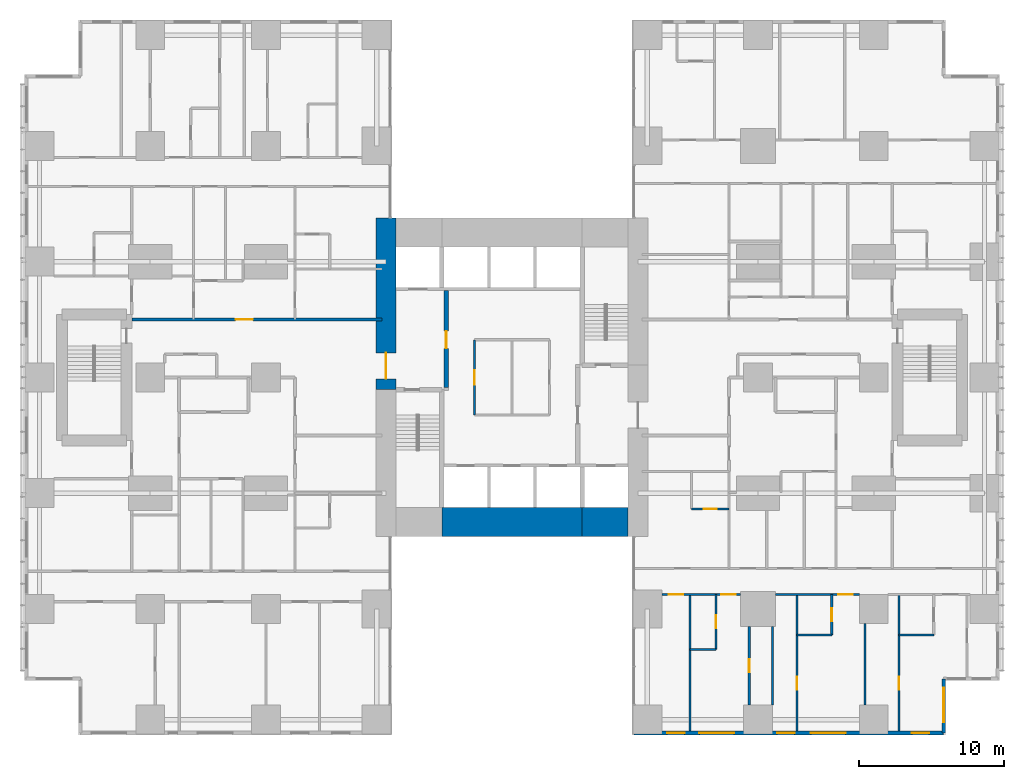
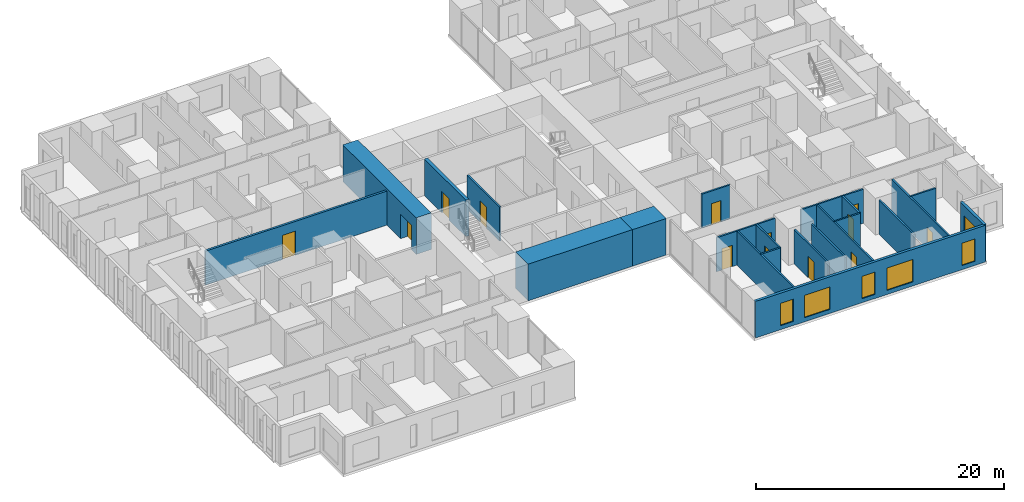
# One storey, part 14 of 21: 22 walls, 13 doors, 6 windows, 19 openings.
"""IFC4 building model written with IfcOpenShell, lengths in metres."""

from ifc_helpers import new_model, si_unit, direction, frame, frame_2d, origin, place, context, subcontext, project, spatial, rectangle, extrude, material, layer, layer_set, type_object, element, fill, save


model = new_model("IFC4")

# Units and contexts
model_context = context("Model", 3, precision=1e-05, world=origin(), true_north=direction((0.0, 1.0)))
body_context = subcontext(model_context, "Body", "Model", "MODEL_VIEW")
ifc_project = project(units=[si_unit("LENGTHUNIT", "METRE"), si_unit("AREAUNIT", "SQUARE_METRE"), si_unit("VOLUMEUNIT", "CUBIC_METRE"), si_unit("PLANEANGLEUNIT", "RADIAN"), si_unit("MASSUNIT", "GRAM", prefix="KILO")], contexts=[model_context])

# Site, building, storey
site_placement = place(None, origin())
site = spatial("IfcSite", under=ifc_project, at=site_placement, CompositionType="ELEMENT")
building_placement = place(site_placement, origin())
building = spatial("IfcBuilding", under=site, at=building_placement, Name="Cleftline Residences", CompositionType="ELEMENT")
storey_placement = place(building_placement, frame((0.0, 0.0, 125.0)))
storey = spatial("IfcBuildingStorey", under=building, at=storey_placement, Name="L32", CompositionType="ELEMENT", Elevation=125.0)

# Wall, opening, door
ifc_material_1 = material(Name="Concrete B70", Category="concrete")
ifc_layer_1 = layer(ifc_material_1, 1.39990234375)
ifc_layer_set_1 = layer_set([ifc_layer_1], Name="CORE WALL 1400")
wall_type_1 = type_object("IfcWallType", Name="CORE WALL 1400", PredefinedType="SHEAR", material=ifc_layer_set_1)
wall_1_placement = place(storey_placement, frame((24.300048828125, 23.14990234375, 0.0), z_axis=(0.0, 0.0, 1.0), x_axis=(0.0, 1.0, 0.0)))
wall_1 = element("IfcWall", 1, at=wall_1_placement, inside=storey, type_object=wall_type_1, Name="Core wall W", PredefinedType="SHEAR", context=body_context, shape_type="SweptSolid", body=[
    extrude(rectangle(XDim=11.85009765625, YDim=1.39990234375, at=frame_2d((5.925048828125, 0.0))), origin(), (0.0, 0.0, 1.0), 3.60009765625),
])
opening_1_placement = place(wall_1_placement, frame((0.75, 0.0, 0.0)))
opening_1 = element("IfcOpeningElement", 2, at=opening_1_placement, cuts=wall_1, Name="Opening D7", PredefinedType="OPENING", context=body_context, shape_type="SweptSolid", body=[
    extrude(rectangle(XDim=1.800048828125, YDim=2.39990234375, at=frame_2d((0.89990234375, 1.199951171875))), frame((0.0, 0.7099609375, 0.0), z_axis=(0.0, -1.0, 0.0), x_axis=(1.0, 0.0, 0.0)), (0.0, 0.0, 1.0), 1.419921875),
])
ifc_material_2 = material(Name="Steel", Category="steel")
door_type_1 = type_object("IfcDoorType", Name="WING DOOR 1800X2400", OperationType="DOUBLE_DOOR_DOUBLE_SWING", PredefinedType="DOOR", material=ifc_material_2)
door_1_placement = place(opening_1_placement, origin())
door_1 = element("IfcDoor", 3, at=door_1_placement, inside=storey, type_object=door_type_1, Name="West wing door", OperationType="DOUBLE_DOOR_DOUBLE_SWING", OverallHeight=2.39990234375, OverallWidth=1.800048828125, PredefinedType="DOOR", context=body_context, shape_type="SweptSolid", body=[
    extrude(rectangle(XDim=1.800048828125, YDim=2.39990234375, at=frame_2d((0.89990234375, 1.199951171875))), frame((0.0, 0.02490234375, 0.0), z_axis=(0.0, -1.0, 0.0), x_axis=(1.0, 0.0, 0.0)), (0.0, 0.0, 1.0), 0.050048828125),
])
fill(opening_1, door_1)

# Walls
ifc_material_3 = material(Name="Concrete B70", Category="concrete")
ifc_layer_2 = layer(ifc_material_3, 2.0)
ifc_layer_set_2 = layer_set([ifc_layer_2], Name="CORE WALL 2000")
wall_type_2 = type_object("IfcWallType", Name="CORE WALL 2000", PredefinedType="SHEAR", material=ifc_layer_set_2)
wall_2_placement = place(storey_placement, frame((28.14990234375, 14.0, 0.0), z_axis=(0.0, 0.0, 1.0), x_axis=(1.0, 0.0, 0.0)))
element("IfcWall", 4, at=wall_2_placement, inside=storey, type_object=wall_type_2, Name="Core wall S2", PredefinedType="SHEAR", context=body_context, shape_type="SweptSolid", body=[
    extrude(rectangle(XDim=9.7001953125, YDim=2.0, at=frame_2d((4.85009765625, 0.0))), origin(), (0.0, 0.0, 1.0), 3.60009765625),
])
wall_3_placement = place(storey_placement, frame((37.85009765625, 14.0, 0.0), z_axis=(0.0, 0.0, 1.0), x_axis=(1.0, 0.0, 0.0)))
element("IfcWall", 5, at=wall_3_placement, inside=storey, type_object=wall_type_2, Name="Core wall S3", PredefinedType="SHEAR", context=body_context, shape_type="SweptSolid", body=[
    extrude(rectangle(XDim=3.14990234375, YDim=2.0, at=frame_2d((1.574951171875, 0.0))), origin(), (0.0, 0.0, 1.0), 3.60009765625),
])

# Wall, openings, windows
ifc_material_4 = material(Name="Rendered reinforced concrete blockwork", Category="masonry")
ifc_layer_3 = layer(ifc_material_4, 0.25)
ifc_layer_set_3 = layer_set([ifc_layer_3], Name="EXTERNAL WALL 250")
wall_type_3 = type_object("IfcWallType", Name="EXTERNAL WALL 250", PredefinedType="SOLIDWALL", material=ifc_layer_set_3)
wall_4_placement = place(storey_placement, frame((41.425048828125, -0.574951171875, 0.0), z_axis=(0.0, 0.0, 1.0), x_axis=(1.0, 0.0, 0.0)))
wall_4 = element("IfcWall", 6, at=wall_4_placement, inside=storey, type_object=wall_type_3, Name="External wall", PredefinedType="SOLIDWALL", context=body_context, shape_type="SweptSolid", body=[
    extrude(rectangle(XDim=21.39990234375, YDim=0.25, at=frame_2d((10.699951171875, 0.0))), origin(), (0.0, 0.0, 1.0), 3.60009765625),
])
opening_2_placement = place(wall_4_placement, frame((2.300048828125, 0.0, 0.39990234375)))
opening_2 = element("IfcOpeningElement", 7, at=opening_2_placement, cuts=wall_4, Name="Opening W11", PredefinedType="OPENING", context=body_context, shape_type="SweptSolid", body=[
    extrude(rectangle(XDim=1.199951171875, YDim=2.199951171875, at=frame_2d((0.60009765625, 1.10009765625))), frame((0.0, 0.135009765625, 0.0), z_axis=(0.0, -1.0, 0.0), x_axis=(1.0, 0.0, 0.0)), (0.0, 0.0, 1.0), 0.27001953125),
])
opening_3_placement = place(wall_4_placement, frame((4.52490234375, 0.0, 0.39990234375)))
opening_3 = element("IfcOpeningElement", 8, at=opening_3_placement, cuts=wall_4, Name="Opening W12", PredefinedType="OPENING", context=body_context, shape_type="SweptSolid", body=[
    extrude(rectangle(XDim=2.39990234375, YDim=2.199951171875, at=frame_2d((1.199951171875, 1.10009765625))), frame((0.0, 0.135009765625, 0.0), z_axis=(0.0, -1.0, 0.0), x_axis=(1.0, 0.0, 0.0)), (0.0, 0.0, 1.0), 0.27001953125),
])
opening_4_placement = place(wall_4_placement, frame((9.89990234375, 0.0, 0.39990234375)))
opening_4 = element("IfcOpeningElement", 9, at=opening_4_placement, cuts=wall_4, Name="Opening W11", PredefinedType="OPENING", context=body_context, shape_type="SweptSolid", body=[
    extrude(rectangle(XDim=1.199951171875, YDim=2.199951171875, at=frame_2d((0.60009765625, 1.10009765625))), frame((0.0, 0.135009765625, 0.0), z_axis=(0.0, -1.0, 0.0), x_axis=(1.0, 0.0, 0.0)), (0.0, 0.0, 1.0), 0.27001953125),
])
opening_5_placement = place(wall_4_placement, frame((12.22509765625, 0.0, 0.39990234375)))
opening_5 = element("IfcOpeningElement", 10, at=opening_5_placement, cuts=wall_4, Name="Opening W12", PredefinedType="OPENING", context=body_context, shape_type="SweptSolid", body=[
    extrude(rectangle(XDim=2.39990234375, YDim=2.199951171875, at=frame_2d((1.199951171875, 1.10009765625))), frame((0.0, 0.135009765625, 0.0), z_axis=(0.0, -1.0, 0.0), x_axis=(1.0, 0.0, 0.0)), (0.0, 0.0, 1.0), 0.27001953125),
])
opening_6_placement = place(wall_4_placement, frame((19.199951171875, 0.0, 0.39990234375)))
opening_6 = element("IfcOpeningElement", 11, at=opening_6_placement, cuts=wall_4, Name="Opening W11", PredefinedType="OPENING", context=body_context, shape_type="SweptSolid", body=[
    extrude(rectangle(XDim=1.199951171875, YDim=2.199951171875, at=frame_2d((0.60009765625, 1.10009765625))), frame((0.0, 0.135009765625, 0.0), z_axis=(0.0, -1.0, 0.0), x_axis=(1.0, 0.0, 0.0)), (0.0, 0.0, 1.0), 0.27001953125),
])
ifc_material_5 = material(Name="Aluminium frame, clear double glazing", Category="aluminium")
window_type_1 = type_object("IfcWindowType", Name="WINDOW 1200X2200", PartitioningType="DOUBLE_PANEL_VERTICAL", PredefinedType="WINDOW", material=ifc_material_5)
window_1_placement = place(opening_2_placement, origin())
window_1 = element("IfcWindow", 12, at=window_1_placement, inside=storey, type_object=window_type_1, Name="Window", OverallHeight=2.199951171875, OverallWidth=1.199951171875, PartitioningType="SINGLE_PANEL", PredefinedType="WINDOW", context=body_context, shape_type="SweptSolid", body=[
    extrude(rectangle(XDim=1.199951171875, YDim=2.199951171875, at=frame_2d((0.60009765625, 1.10009765625))), frame((0.0, 0.030029296875, 0.0), z_axis=(0.0, -1.0, 0.0), x_axis=(1.0, 0.0, 0.0)), (0.0, 0.0, 1.0), 0.06005859375),
])
fill(opening_2, window_1)
window_2_placement = place(opening_4_placement, origin())
window_2 = element("IfcWindow", 13, at=window_2_placement, inside=storey, type_object=window_type_1, Name="Window", OverallHeight=2.199951171875, OverallWidth=1.199951171875, PartitioningType="SINGLE_PANEL", PredefinedType="WINDOW", context=body_context, shape_type="SweptSolid", body=[
    extrude(rectangle(XDim=1.199951171875, YDim=2.199951171875, at=frame_2d((0.60009765625, 1.10009765625))), frame((0.0, 0.030029296875, 0.0), z_axis=(0.0, -1.0, 0.0), x_axis=(1.0, 0.0, 0.0)), (0.0, 0.0, 1.0), 0.06005859375),
])
fill(opening_4, window_2)
window_3_placement = place(opening_6_placement, origin())
window_3 = element("IfcWindow", 14, at=window_3_placement, inside=storey, type_object=window_type_1, Name="Window", OverallHeight=2.199951171875, OverallWidth=1.199951171875, PartitioningType="SINGLE_PANEL", PredefinedType="WINDOW", context=body_context, shape_type="SweptSolid", body=[
    extrude(rectangle(XDim=1.199951171875, YDim=2.199951171875, at=frame_2d((0.60009765625, 1.10009765625))), frame((0.0, 0.030029296875, 0.0), z_axis=(0.0, -1.0, 0.0), x_axis=(1.0, 0.0, 0.0)), (0.0, 0.0, 1.0), 0.06005859375),
])
fill(opening_6, window_3)
ifc_material_6 = material(Name="Aluminium frame, clear double glazing", Category="aluminium")
window_type_2 = type_object("IfcWindowType", Name="WINDOW 2400X2200", PartitioningType="DOUBLE_PANEL_VERTICAL", PredefinedType="WINDOW", material=ifc_material_6)
window_4_placement = place(opening_3_placement, origin())
window_4 = element("IfcWindow", 15, at=window_4_placement, inside=storey, type_object=window_type_2, Name="Window", OverallHeight=2.199951171875, OverallWidth=2.39990234375, PartitioningType="SINGLE_PANEL", PredefinedType="WINDOW", context=body_context, shape_type="SweptSolid", body=[
    extrude(rectangle(XDim=2.39990234375, YDim=2.199951171875, at=frame_2d((1.199951171875, 1.10009765625))), frame((0.0, 0.030029296875, 0.0), z_axis=(0.0, -1.0, 0.0), x_axis=(1.0, 0.0, 0.0)), (0.0, 0.0, 1.0), 0.06005859375),
])
fill(opening_3, window_4)
window_5_placement = place(opening_5_placement, origin())
window_5 = element("IfcWindow", 16, at=window_5_placement, inside=storey, type_object=window_type_2, Name="Window", OverallHeight=2.199951171875, OverallWidth=2.39990234375, PartitioningType="SINGLE_PANEL", PredefinedType="WINDOW", context=body_context, shape_type="SweptSolid", body=[
    extrude(rectangle(XDim=2.39990234375, YDim=2.199951171875, at=frame_2d((1.199951171875, 1.10009765625))), frame((0.0, 0.030029296875, 0.0), z_axis=(0.0, -1.0, 0.0), x_axis=(1.0, 0.0, 0.0)), (0.0, 0.0, 1.0), 0.06005859375),
])
fill(opening_5, window_5)

# Wall, opening, window
wall_5_placement = place(storey_placement, frame((62.824951171875, -0.574951171875, 0.0), z_axis=(0.0, 0.0, 1.0), x_axis=(0.0, 1.0, 0.0)))
wall_5 = element("IfcWall", 17, at=wall_5_placement, inside=storey, type_object=wall_type_3, Name="External wall", PredefinedType="SOLIDWALL", context=body_context, shape_type="SweptSolid", body=[
    extrude(rectangle(XDim=3.75, YDim=0.25, at=frame_2d((1.875, 0.0))), origin(), (0.0, 0.0, 1.0), 3.60009765625),
])
opening_7_placement = place(wall_5_placement, frame((0.737548828125, 0.0, 0.39990234375)))
opening_7 = element("IfcOpeningElement", 18, at=opening_7_placement, cuts=wall_5, Name="Opening W12", PredefinedType="OPENING", context=body_context, shape_type="SweptSolid", body=[
    extrude(rectangle(XDim=2.39990234375, YDim=2.199951171875, at=frame_2d((1.199951171875, 1.10009765625))), frame((0.0, 0.135009765625, 0.0), z_axis=(0.0, -1.0, 0.0), x_axis=(1.0, 0.0, 0.0)), (0.0, 0.0, 1.0), 0.27001953125),
])
window_6_placement = place(opening_7_placement, origin())
window_6 = element("IfcWindow", 19, at=window_6_placement, inside=storey, type_object=window_type_2, Name="Window", OverallHeight=2.199951171875, OverallWidth=2.39990234375, PartitioningType="SINGLE_PANEL", PredefinedType="WINDOW", context=body_context, shape_type="SweptSolid", body=[
    extrude(rectangle(XDim=2.39990234375, YDim=2.199951171875, at=frame_2d((1.199951171875, 1.10009765625))), frame((0.0, 0.030029296875, 0.0), z_axis=(0.0, -1.0, 0.0), x_axis=(1.0, 0.0, 0.0)), (0.0, 0.0, 1.0), 0.06005859375),
])
fill(opening_7, window_6)

# Wall, opening, door
ifc_material_7 = material(Name="Concrete blockwork, fire rated", Category="masonry")
ifc_layer_4 = layer(ifc_material_7, 0.199951171875)
ifc_layer_set_4 = layer_set([ifc_layer_4], Name="FIRE WALL 200")
wall_type_4 = type_object("IfcWallType", Name="FIRE WALL 200", PredefinedType="PARTITIONING", material=ifc_layer_set_4)
wall_6_placement = place(storey_placement, frame((6.72509765625, 28.0, 0.0), z_axis=(0.0, 0.0, 1.0), x_axis=(1.0, 0.0, 0.0)))
wall_6 = element("IfcWall", 20, at=wall_6_placement, inside=storey, type_object=wall_type_4, Name="Fire separating wall", PredefinedType="PARTITIONING", context=body_context, shape_type="SweptSolid", body=[
    extrude(rectangle(XDim=17.27490234375, YDim=0.199951171875, at=frame_2d((8.637451171875, 0.0))), origin(), (0.0, 0.0, 1.0), 3.35009765625),
])
opening_8_placement = place(wall_6_placement, frame((7.175048828125, 0.0, 0.0)))
opening_8 = element("IfcOpeningElement", 21, at=opening_8_placement, cuts=wall_6, Name="Opening D4", PredefinedType="OPENING", context=body_context, shape_type="SweptSolid", body=[
    extrude(rectangle(XDim=1.199951171875, YDim=2.39990234375, at=frame_2d((0.60009765625, 1.199951171875))), frame((0.0, 0.10986328125, 0.0), z_axis=(0.0, -1.0, 0.0), x_axis=(1.0, 0.0, 0.0)), (0.0, 0.0, 1.0), 0.219970703125),
])
ifc_material_8 = material(Name="Timber veneer on solid core", Category="wood")
door_type_2 = type_object("IfcDoorType", Name="APARTMENT ENTRANCE DOOR 1200X2400", OperationType="SINGLE_SWING_RIGHT", PredefinedType="DOOR", material=ifc_material_8)
door_2_placement = place(opening_8_placement, origin())
door_2 = element("IfcDoor", 22, at=door_2_placement, inside=storey, type_object=door_type_2, Name="Door to residence entrance (gallery)", OperationType="SINGLE_SWING_RIGHT", OverallHeight=2.39990234375, OverallWidth=1.199951171875, PredefinedType="DOOR", context=body_context, shape_type="SweptSolid", body=[
    extrude(rectangle(XDim=1.199951171875, YDim=2.39990234375, at=frame_2d((0.60009765625, 1.199951171875))), frame((0.0, 0.02490234375, 0.0), z_axis=(0.0, -1.0, 0.0), x_axis=(1.0, 0.0, 0.0)), (0.0, 0.0, 1.0), 0.050048828125),
])
fill(opening_8, door_2)

# Walls
ifc_material_9 = material(Name="Gypsum board on steel studs", Category="steel")
ifc_layer_5 = layer(ifc_material_9, 0.14990234375)
ifc_layer_set_5 = layer_set([ifc_layer_5], Name="PARTITION 150")
wall_type_5 = type_object("IfcWallType", Name="PARTITION 150", PredefinedType="PARTITIONING", material=ifc_layer_set_5)
wall_7_placement = place(storey_placement, frame((45.300048828125, 5.199951171875, 0.0), z_axis=(0.0, 0.0, 1.0), x_axis=(1.0, 0.0, 0.0)))
element("IfcWall", 23, at=wall_7_placement, inside=storey, type_object=wall_type_5, Name="Partition", PredefinedType="PARTITIONING", context=body_context, shape_type="SweptSolid", body=[
    extrude(rectangle(XDim=1.800048828125, YDim=0.14990234375, at=frame_2d((0.89990234375, 0.0))), origin(), (0.0, 0.0, 1.0), 3.35009765625),
])
wall_8_placement = place(storey_placement, frame((52.699951171875, 6.199951171875, 0.0), z_axis=(0.0, 0.0, 1.0), x_axis=(1.0, 0.0, 0.0)))
element("IfcWall", 24, at=wall_8_placement, inside=storey, type_object=wall_type_5, Name="Partition", PredefinedType="PARTITIONING", context=body_context, shape_type="SweptSolid", body=[
    extrude(rectangle(XDim=2.400146484375, YDim=0.14990234375, at=frame_2d((1.2001953125, 0.0))), origin(), (0.0, 0.0, 1.0), 3.35009765625),
])
wall_9_placement = place(storey_placement, frame((59.75, 6.199951171875, 0.0), z_axis=(0.0, 0.0, 1.0), x_axis=(1.0, 0.0, 0.0)))
element("IfcWall", 25, at=wall_9_placement, inside=storey, type_object=wall_type_5, Name="Partition", PredefinedType="PARTITIONING", context=body_context, shape_type="SweptSolid", body=[
    extrude(rectangle(XDim=2.39990234375, YDim=0.14990234375, at=frame_2d((1.199951171875, 0.0))), origin(), (0.0, 0.0, 1.0), 3.35009765625),
])

# Wall, openings, doors
wall_10_placement = place(storey_placement, frame((43.35009765625, 9.0, 0.0), z_axis=(0.0, 0.0, 1.0), x_axis=(1.0, 0.0, 0.0)))
wall_10 = element("IfcWall", 26, at=wall_10_placement, inside=storey, type_object=wall_type_5, Name="Partition", PredefinedType="PARTITIONING", context=body_context, shape_type="SweptSolid", body=[
    extrude(rectangle(XDim=5.449951171875, YDim=0.14990234375, at=frame_2d((2.72509765625, 0.0))), origin(), (0.0, 0.0, 1.0), 3.35009765625),
])
opening_9_placement = place(wall_10_placement, frame((4.10009765625, 0.0, 0.0)))
opening_9 = element("IfcOpeningElement", 27, at=opening_9_placement, cuts=wall_10, Name="Opening D2", PredefinedType="OPENING", context=body_context, shape_type="SweptSolid", body=[
    extrude(rectangle(XDim=1.0, YDim=2.10009765625, at=frame_2d((0.5, 1.050048828125))), frame((0.0, 0.0849609375, 0.0), z_axis=(0.0, -1.0, 0.0), x_axis=(1.0, 0.0, 0.0)), (0.0, 0.0, 1.0), 0.169921875),
])
opening_10_placement = place(wall_10_placement, frame((0.47509765625, 0.0, 0.0)))
opening_10 = element("IfcOpeningElement", 28, at=opening_10_placement, cuts=wall_10, Name="Opening D2", PredefinedType="OPENING", context=body_context, shape_type="SweptSolid", body=[
    extrude(rectangle(XDim=1.0, YDim=2.10009765625, at=frame_2d((0.5, 1.050048828125))), frame((0.0, 0.0849609375, 0.0), z_axis=(0.0, -1.0, 0.0), x_axis=(1.0, 0.0, 0.0)), (0.0, 0.0, 1.0), 0.169921875),
])
ifc_material_10 = material(Name="Timber veneer on solid core", Category="wood")
door_type_3 = type_object("IfcDoorType", Name="DOOR 1000X2100", OperationType="SINGLE_SWING_LEFT", PredefinedType="DOOR", material=ifc_material_10)
door_3_placement = place(opening_9_placement, origin())
door_3 = element("IfcDoor", 29, at=door_3_placement, inside=storey, type_object=door_type_3, Name="Door to bedroom 4", OperationType="SINGLE_SWING_LEFT", OverallHeight=2.10009765625, OverallWidth=1.0, PredefinedType="DOOR", context=body_context, shape_type="SweptSolid", body=[
    extrude(rectangle(XDim=1.0, YDim=2.10009765625, at=frame_2d((0.5, 1.050048828125))), frame((0.0, 0.02490234375, 0.0), z_axis=(0.0, -1.0, 0.0), x_axis=(1.0, 0.0, 0.0)), (0.0, 0.0, 1.0), 0.050048828125),
])
fill(opening_9, door_3)
door_4_placement = place(opening_10_placement, origin())
door_4 = element("IfcDoor", 30, at=door_4_placement, inside=storey, type_object=door_type_3, Name="Door to family room", OperationType="SINGLE_SWING_RIGHT", OverallHeight=2.10009765625, OverallWidth=1.0, PredefinedType="DOOR", context=body_context, shape_type="SweptSolid", body=[
    extrude(rectangle(XDim=1.0, YDim=2.10009765625, at=frame_2d((0.5, 1.050048828125))), frame((0.0, 0.02490234375, 0.0), z_axis=(0.0, -1.0, 0.0), x_axis=(1.0, 0.0, 0.0)), (0.0, 0.0, 1.0), 0.050048828125),
])
fill(opening_10, door_4)

# Wall, opening, door
wall_11_placement = place(storey_placement, frame((51.199951171875, 9.0, 0.0), z_axis=(0.0, 0.0, 1.0), x_axis=(1.0, 0.0, 0.0)))
wall_11 = element("IfcWall", 31, at=wall_11_placement, inside=storey, type_object=wall_type_5, Name="Partition", PredefinedType="PARTITIONING", context=body_context, shape_type="SweptSolid", body=[
    extrude(rectangle(XDim=5.800048828125, YDim=0.14990234375, at=frame_2d((2.89990234375, 0.0))), origin(), (0.0, 0.0, 1.0), 3.35009765625),
])
opening_11_placement = place(wall_11_placement, frame((4.35009765625, 0.0, 0.0)))
opening_11 = element("IfcOpeningElement", 32, at=opening_11_placement, cuts=wall_11, Name="Opening D2", PredefinedType="OPENING", context=body_context, shape_type="SweptSolid", body=[
    extrude(rectangle(XDim=1.0, YDim=2.10009765625, at=frame_2d((0.5, 1.050048828125))), frame((0.0, 0.0849609375, 0.0), z_axis=(0.0, -1.0, 0.0), x_axis=(1.0, 0.0, 0.0)), (0.0, 0.0, 1.0), 0.169921875),
])
door_5_placement = place(opening_11_placement, origin())
door_5 = element("IfcDoor", 33, at=door_5_placement, inside=storey, type_object=door_type_3, Name="Door to bedroom 3", OperationType="SINGLE_SWING_LEFT", OverallHeight=2.10009765625, OverallWidth=1.0, PredefinedType="DOOR", context=body_context, shape_type="SweptSolid", body=[
    extrude(rectangle(XDim=1.0, YDim=2.10009765625, at=frame_2d((0.5, 1.050048828125))), frame((0.0, 0.02490234375, 0.0), z_axis=(0.0, -1.0, 0.0), x_axis=(1.0, 0.0, 0.0)), (0.0, 0.0, 1.0), 0.050048828125),
])
fill(opening_11, door_5)

wall_12_placement = place(storey_placement, frame((45.39990234375, 14.89990234375, 0.0), z_axis=(0.0, 0.0, 1.0), x_axis=(1.0, 0.0, 0.0)))
wall_12 = element("IfcWall", 34, at=wall_12_placement, inside=storey, type_object=wall_type_5, Name="Partition", PredefinedType="PARTITIONING", context=body_context, shape_type="SweptSolid", body=[
    extrude(rectangle(XDim=2.60009765625, YDim=0.14990234375, at=frame_2d((1.300048828125, 0.0))), origin(), (0.0, 0.0, 1.0), 3.35009765625),
])
opening_12_placement = place(wall_12_placement, frame((0.85009765625, 0.0, 0.0)))
opening_12 = element("IfcOpeningElement", 35, at=opening_12_placement, cuts=wall_12, Name="Opening D1", PredefinedType="OPENING", context=body_context, shape_type="SweptSolid", body=[
    extrude(rectangle(XDim=0.89990234375, YDim=2.10009765625, at=frame_2d((0.449951171875, 1.050048828125))), frame((0.0, 0.0849609375, 0.0), z_axis=(0.0, -1.0, 0.0), x_axis=(1.0, 0.0, 0.0)), (0.0, 0.0, 1.0), 0.169921875),
])
ifc_material_11 = material(Name="Timber veneer on solid core", Category="wood")
door_type_4 = type_object("IfcDoorType", Name="DOOR 900X2100", OperationType="SINGLE_SWING_LEFT", PredefinedType="DOOR", material=ifc_material_11)
door_6_placement = place(opening_12_placement, origin())
door_6 = element("IfcDoor", 36, at=door_6_placement, inside=storey, type_object=door_type_4, Name="Door to master bathroom", OperationType="SINGLE_SWING_LEFT", OverallHeight=2.10009765625, OverallWidth=0.89990234375, PredefinedType="DOOR", context=body_context, shape_type="SweptSolid", body=[
    extrude(rectangle(XDim=0.89990234375, YDim=2.10009765625, at=frame_2d((0.449951171875, 1.050048828125))), frame((0.0, 0.02490234375, 0.0), z_axis=(0.0, -1.0, 0.0), x_axis=(1.0, 0.0, 0.0)), (0.0, 0.0, 1.0), 0.050048828125),
])
fill(opening_12, door_6)

# Wall
wall_13_placement = place(storey_placement, frame((45.300048828125, -0.449951171875, 0.0), z_axis=(0.0, 0.0, 1.0), x_axis=(0.0, 1.0, 0.0)))
element("IfcWall", 37, at=wall_13_placement, inside=storey, type_object=wall_type_5, Name="Partition", PredefinedType="PARTITIONING", context=body_context, shape_type="SweptSolid", body=[
    extrude(rectangle(XDim=9.449951171875, YDim=0.14990234375, at=frame_2d((4.72509765625, 0.0))), origin(), (0.0, 0.0, 1.0), 3.35009765625),
])

# Wall, opening, door
wall_14_placement = place(storey_placement, frame((47.10009765625, 5.199951171875, 0.0), z_axis=(0.0, 0.0, 1.0), x_axis=(0.0, 1.0, 0.0)))
wall_14 = element("IfcWall", 38, at=wall_14_placement, inside=storey, type_object=wall_type_5, Name="Partition", PredefinedType="PARTITIONING", context=body_context, shape_type="SweptSolid", body=[
    extrude(rectangle(XDim=3.800048828125, YDim=0.14990234375, at=frame_2d((1.89990234375, 0.0))), origin(), (0.0, 0.0, 1.0), 3.35009765625),
])
opening_13_placement = place(wall_14_placement, frame((1.449951171875, 0.0, 0.0)))
opening_13 = element("IfcOpeningElement", 39, at=opening_13_placement, cuts=wall_14, Name="Opening D1", PredefinedType="OPENING", context=body_context, shape_type="SweptSolid", body=[
    extrude(rectangle(XDim=0.89990234375, YDim=2.10009765625, at=frame_2d((0.449951171875, 1.050048828125))), frame((0.0, 0.0849609375, 0.0), z_axis=(0.0, -1.0, 0.0), x_axis=(1.0, 0.0, 0.0)), (0.0, 0.0, 1.0), 0.169921875),
])
door_7_placement = place(opening_13_placement, origin())
door_7 = element("IfcDoor", 40, at=door_7_placement, inside=storey, type_object=door_type_4, Name="Door to en-suite bathroom 4", OperationType="SINGLE_SWING_LEFT", OverallHeight=2.10009765625, OverallWidth=0.89990234375, PredefinedType="DOOR", context=body_context, shape_type="SweptSolid", body=[
    extrude(rectangle(XDim=0.89990234375, YDim=2.10009765625, at=frame_2d((0.449951171875, 1.050048828125))), frame((0.0, 0.02490234375, 0.0), z_axis=(0.0, -1.0, 0.0), x_axis=(1.0, 0.0, 0.0)), (0.0, 0.0, 1.0), 0.050048828125),
])
fill(opening_13, door_7)

wall_15_placement = place(storey_placement, frame((49.39990234375, 1.35009765625, 0.0), z_axis=(0.0, 0.0, 1.0), x_axis=(0.0, 1.0, 0.0)))
wall_15 = element("IfcWall", 41, at=wall_15_placement, inside=storey, type_object=wall_type_5, Name="Partition", PredefinedType="PARTITIONING", context=body_context, shape_type="SweptSolid", body=[
    extrude(rectangle(XDim=5.449951171875, YDim=0.14990234375, at=frame_2d((2.72509765625, 0.0))), origin(), (0.0, 0.0, 1.0), 3.35009765625),
])
opening_14_placement = place(wall_15_placement, frame((2.27490234375, 0.0, 0.0)))
opening_14 = element("IfcOpeningElement", 42, at=opening_14_placement, cuts=wall_15, Name="Opening D1", PredefinedType="OPENING", context=body_context, shape_type="SweptSolid", body=[
    extrude(rectangle(XDim=0.89990234375, YDim=2.10009765625, at=frame_2d((0.449951171875, 1.050048828125))), frame((0.0, 0.0849609375, 0.0), z_axis=(0.0, -1.0, 0.0), x_axis=(1.0, 0.0, 0.0)), (0.0, 0.0, 1.0), 0.169921875),
])
door_8_placement = place(opening_14_placement, origin())
door_8 = element("IfcDoor", 43, at=door_8_placement, inside=storey, type_object=door_type_4, Name="Door to walk-in wardrobe", OperationType="SINGLE_SWING_LEFT", OverallHeight=2.10009765625, OverallWidth=0.89990234375, PredefinedType="DOOR", context=body_context, shape_type="SweptSolid", body=[
    extrude(rectangle(XDim=0.89990234375, YDim=2.10009765625, at=frame_2d((0.449951171875, 1.050048828125))), frame((0.0, 0.02490234375, 0.0), z_axis=(0.0, -1.0, 0.0), x_axis=(1.0, 0.0, 0.0)), (0.0, 0.0, 1.0), 0.050048828125),
])
fill(opening_14, door_8)

# Wall
wall_16_placement = place(storey_placement, frame((51.0, 1.35009765625, 0.0), z_axis=(0.0, 0.0, 1.0), x_axis=(0.0, 1.0, 0.0)))
element("IfcWall", 44, at=wall_16_placement, inside=storey, type_object=wall_type_5, Name="Partition", PredefinedType="PARTITIONING", context=body_context, shape_type="SweptSolid", body=[
    extrude(rectangle(XDim=5.449951171875, YDim=0.14990234375, at=frame_2d((2.72509765625, 0.0))), origin(), (0.0, 0.0, 1.0), 3.35009765625),
])

# Wall, opening, door
wall_17_placement = place(storey_placement, frame((52.699951171875, -0.449951171875, 0.0), z_axis=(0.0, 0.0, 1.0), x_axis=(0.0, 1.0, 0.0)))
wall_17 = element("IfcWall", 45, at=wall_17_placement, inside=storey, type_object=wall_type_5, Name="Partition", PredefinedType="PARTITIONING", context=body_context, shape_type="SweptSolid", body=[
    extrude(rectangle(XDim=9.449951171875, YDim=0.14990234375, at=frame_2d((4.72509765625, 0.0))), origin(), (0.0, 0.0, 1.0), 3.35009765625),
])
opening_15_placement = place(wall_17_placement, frame((2.875, 0.0, 0.0)))
opening_15 = element("IfcOpeningElement", 46, at=opening_15_placement, cuts=wall_17, Name="Opening D1", PredefinedType="OPENING", context=body_context, shape_type="SweptSolid", body=[
    extrude(rectangle(XDim=0.89990234375, YDim=2.10009765625, at=frame_2d((0.449951171875, 1.050048828125))), frame((0.0, 0.0849609375, 0.0), z_axis=(0.0, -1.0, 0.0), x_axis=(1.0, 0.0, 0.0)), (0.0, 0.0, 1.0), 0.169921875),
])
door_9_placement = place(opening_15_placement, origin())
door_9 = element("IfcDoor", 47, at=door_9_placement, inside=storey, type_object=door_type_4, Name="Door to walk-in wardrobe", OperationType="SINGLE_SWING_RIGHT", OverallHeight=2.10009765625, OverallWidth=0.89990234375, PredefinedType="DOOR", context=body_context, shape_type="SweptSolid", body=[
    extrude(rectangle(XDim=0.89990234375, YDim=2.10009765625, at=frame_2d((0.449951171875, 1.050048828125))), frame((0.0, 0.02490234375, 0.0), z_axis=(0.0, -1.0, 0.0), x_axis=(1.0, 0.0, 0.0)), (0.0, 0.0, 1.0), 0.050048828125),
])
fill(opening_15, door_9)

wall_18_placement = place(storey_placement, frame((55.10009765625, 6.199951171875, 0.0), z_axis=(0.0, 0.0, 1.0), x_axis=(0.0, 1.0, 0.0)))
wall_18 = element("IfcWall", 48, at=wall_18_placement, inside=storey, type_object=wall_type_5, Name="Partition", PredefinedType="PARTITIONING", context=body_context, shape_type="SweptSolid", body=[
    extrude(rectangle(XDim=2.800048828125, YDim=0.14990234375, at=frame_2d((1.39990234375, 0.0))), origin(), (0.0, 0.0, 1.0), 3.35009765625),
])
opening_16_placement = place(wall_18_placement, frame((0.949951171875, 0.0, 0.0)))
opening_16 = element("IfcOpeningElement", 49, at=opening_16_placement, cuts=wall_18, Name="Opening D1", PredefinedType="OPENING", context=body_context, shape_type="SweptSolid", body=[
    extrude(rectangle(XDim=0.89990234375, YDim=2.10009765625, at=frame_2d((0.449951171875, 1.050048828125))), frame((0.0, 0.0849609375, 0.0), z_axis=(0.0, -1.0, 0.0), x_axis=(1.0, 0.0, 0.0)), (0.0, 0.0, 1.0), 0.169921875),
])
door_10_placement = place(opening_16_placement, origin())
door_10 = element("IfcDoor", 50, at=door_10_placement, inside=storey, type_object=door_type_4, Name="Door to en-suite bathroom 3", OperationType="SINGLE_SWING_LEFT", OverallHeight=2.10009765625, OverallWidth=0.89990234375, PredefinedType="DOOR", context=body_context, shape_type="SweptSolid", body=[
    extrude(rectangle(XDim=0.89990234375, YDim=2.10009765625, at=frame_2d((0.449951171875, 1.050048828125))), frame((0.0, 0.02490234375, 0.0), z_axis=(0.0, -1.0, 0.0), x_axis=(1.0, 0.0, 0.0)), (0.0, 0.0, 1.0), 0.050048828125),
])
fill(opening_16, door_10)

# Wall
wall_19_placement = place(storey_placement, frame((57.39990234375, 1.35009765625, 0.0), z_axis=(0.0, 0.0, 1.0), x_axis=(0.0, 1.0, 0.0)))
element("IfcWall", 51, at=wall_19_placement, inside=storey, type_object=wall_type_5, Name="Partition", PredefinedType="PARTITIONING", context=body_context, shape_type="SweptSolid", body=[
    extrude(rectangle(XDim=5.64990234375, YDim=0.14990234375, at=frame_2d((2.824951171875, 0.0))), origin(), (0.0, 0.0, 1.0), 3.35009765625),
])

# Wall, opening, door
wall_20_placement = place(storey_placement, frame((59.75, -0.449951171875, 0.0), z_axis=(0.0, 0.0, 1.0), x_axis=(0.0, 1.0, 0.0)))
wall_20 = element("IfcWall", 52, at=wall_20_placement, inside=storey, type_object=wall_type_5, Name="Partition", PredefinedType="PARTITIONING", context=body_context, shape_type="SweptSolid", body=[
    extrude(rectangle(XDim=9.449951171875, YDim=0.14990234375, at=frame_2d((4.72509765625, 0.0))), origin(), (0.0, 0.0, 1.0), 3.35009765625),
])
opening_17_placement = place(wall_20_placement, frame((2.875, 0.0, 0.0)))
opening_17 = element("IfcOpeningElement", 53, at=opening_17_placement, cuts=wall_20, Name="Opening D1", PredefinedType="OPENING", context=body_context, shape_type="SweptSolid", body=[
    extrude(rectangle(XDim=0.89990234375, YDim=2.10009765625, at=frame_2d((0.449951171875, 1.050048828125))), frame((0.0, 0.0849609375, 0.0), z_axis=(0.0, -1.0, 0.0), x_axis=(1.0, 0.0, 0.0)), (0.0, 0.0, 1.0), 0.169921875),
])
door_11_placement = place(opening_17_placement, origin())
door_11 = element("IfcDoor", 54, at=door_11_placement, inside=storey, type_object=door_type_4, Name="Door to walk-in wardrobe", OperationType="SINGLE_SWING_RIGHT", OverallHeight=2.10009765625, OverallWidth=0.89990234375, PredefinedType="DOOR", context=body_context, shape_type="SweptSolid", body=[
    extrude(rectangle(XDim=0.89990234375, YDim=2.10009765625, at=frame_2d((0.449951171875, 1.050048828125))), frame((0.0, 0.02490234375, 0.0), z_axis=(0.0, -1.0, 0.0), x_axis=(1.0, 0.0, 0.0)), (0.0, 0.0, 1.0), 0.050048828125),
])
fill(opening_17, door_11)

ifc_material_12 = material(Name="Fire-resisting gypsum board on steel studs", Category="steel")
ifc_layer_6 = layer(ifc_material_12, 0.14990234375)
ifc_layer_set_6 = layer_set([ifc_layer_6], Name="PARTITION 150 EI 60")
wall_type_6 = type_object("IfcWallType", Name="PARTITION 150 EI 60", PredefinedType="PARTITIONING", material=ifc_layer_set_6)
wall_21_placement = place(storey_placement, frame((30.39990234375, 21.39990234375, 0.0), z_axis=(0.0, 0.0, 1.0), x_axis=(0.0, 1.0, 0.0)))
wall_21 = element("IfcWall", 55, at=wall_21_placement, inside=storey, type_object=wall_type_6, Name="Core room partition", PredefinedType="PARTITIONING", context=body_context, shape_type="SweptSolid", body=[
    extrude(rectangle(XDim=5.2001953125, YDim=0.14990234375, at=frame_2d((2.60009765625, 0.0))), origin(), (0.0, 0.0, 1.0), 3.35009765625),
])
opening_18_placement = place(wall_21_placement, frame((2.10009765625, 0.0, 0.0)))
opening_18 = element("IfcOpeningElement", 56, at=opening_18_placement, cuts=wall_21, Name="Opening D2F60", PredefinedType="OPENING", context=body_context, shape_type="SweptSolid", body=[
    extrude(rectangle(XDim=1.0, YDim=2.10009765625, at=frame_2d((0.5, 1.050048828125))), frame((0.0, 0.0849609375, 0.0), z_axis=(0.0, -1.0, 0.0), x_axis=(1.0, 0.0, 0.0)), (0.0, 0.0, 1.0), 0.169921875),
])
ifc_material_13 = material(Name="Timber veneer on solid core", Category="wood")
door_type_5 = type_object("IfcDoorType", Name="DOOR 1000X2100 EI 60", OperationType="SINGLE_SWING_LEFT", PredefinedType="DOOR", material=ifc_material_13)
door_12_placement = place(opening_18_placement, origin())
door_12 = element("IfcDoor", 57, at=door_12_placement, inside=storey, type_object=door_type_5, Name="Door to communications room", OperationType="SINGLE_SWING_LEFT", OverallHeight=2.10009765625, OverallWidth=1.0, PredefinedType="DOOR", context=body_context, shape_type="SweptSolid", body=[
    extrude(rectangle(XDim=1.0, YDim=2.10009765625, at=frame_2d((0.5, 1.050048828125))), frame((0.0, 0.02490234375, 0.0), z_axis=(0.0, -1.0, 0.0), x_axis=(1.0, 0.0, 0.0)), (0.0, 0.0, 1.0), 0.050048828125),
])
fill(opening_18, door_12)

ifc_material_14 = material(Name="Concrete blockwork, fire rated", Category="masonry")
ifc_layer_7 = layer(ifc_material_14, 0.300048828125)
ifc_layer_set_7 = layer_set([ifc_layer_7], Name="STAIR LOBBY WALL 300")
wall_type_7 = type_object("IfcWallType", Name="STAIR LOBBY WALL 300", PredefinedType="PARTITIONING", material=ifc_layer_set_7)
wall_22_placement = place(storey_placement, frame((28.449951171875, 23.300048828125, 0.0), z_axis=(0.0, 0.0, 1.0), x_axis=(0.0, 1.0, 0.0)))
wall_22 = element("IfcWall", 58, at=wall_22_placement, inside=storey, type_object=wall_type_7, Name="Stair and lobby wall FA-E", PredefinedType="PARTITIONING", context=body_context, shape_type="SweptSolid", body=[
    extrude(rectangle(XDim=6.699951171875, YDim=0.300048828125, at=frame_2d((3.35009765625, 0.0))), origin(), (0.0, 0.0, 1.0), 3.60009765625),
])
opening_19_placement = place(wall_22_placement, frame((2.699951171875, 0.0, 0.0)))
opening_19 = element("IfcOpeningElement", 59, at=opening_19_placement, cuts=wall_22, Name="Opening D6", PredefinedType="OPENING", context=body_context, shape_type="SweptSolid", body=[
    extrude(rectangle(XDim=1.199951171875, YDim=2.10009765625, at=frame_2d((0.60009765625, 1.050048828125))), frame((0.0, 0.159912109375, 0.0), z_axis=(0.0, -1.0, 0.0), x_axis=(1.0, 0.0, 0.0)), (0.0, 0.0, 1.0), 0.320068359375),
])
ifc_material_15 = material(Name="Steel", Category="steel")
door_type_6 = type_object("IfcDoorType", Name="LOBBY DOOR 1200X2100", OperationType="SINGLE_SWING_RIGHT", PredefinedType="DOOR", material=ifc_material_15)
door_13_placement = place(opening_19_placement, origin())
door_13 = element("IfcDoor", 60, at=door_13_placement, inside=storey, type_object=door_type_6, Name="Firefighting lobby A door", OperationType="SINGLE_SWING_RIGHT", OverallHeight=2.10009765625, OverallWidth=1.199951171875, PredefinedType="DOOR", context=body_context, shape_type="SweptSolid", body=[
    extrude(rectangle(XDim=1.199951171875, YDim=2.10009765625, at=frame_2d((0.60009765625, 1.050048828125))), frame((0.0, 0.02490234375, 0.0), z_axis=(0.0, -1.0, 0.0), x_axis=(1.0, 0.0, 0.0)), (0.0, 0.0, 1.0), 0.050048828125),
])
fill(opening_19, door_13)

save(model, "model.ifc")
